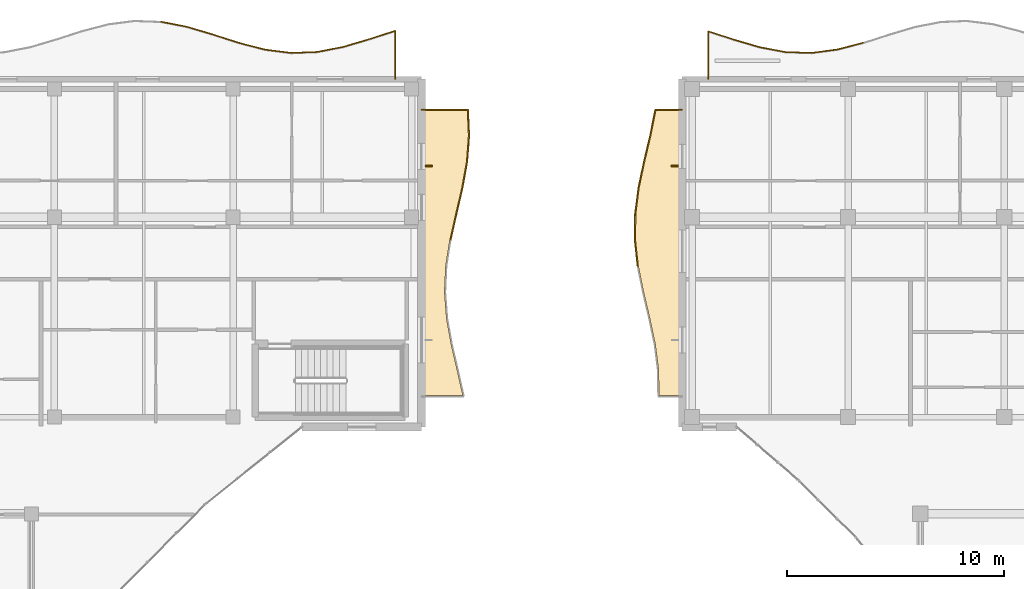
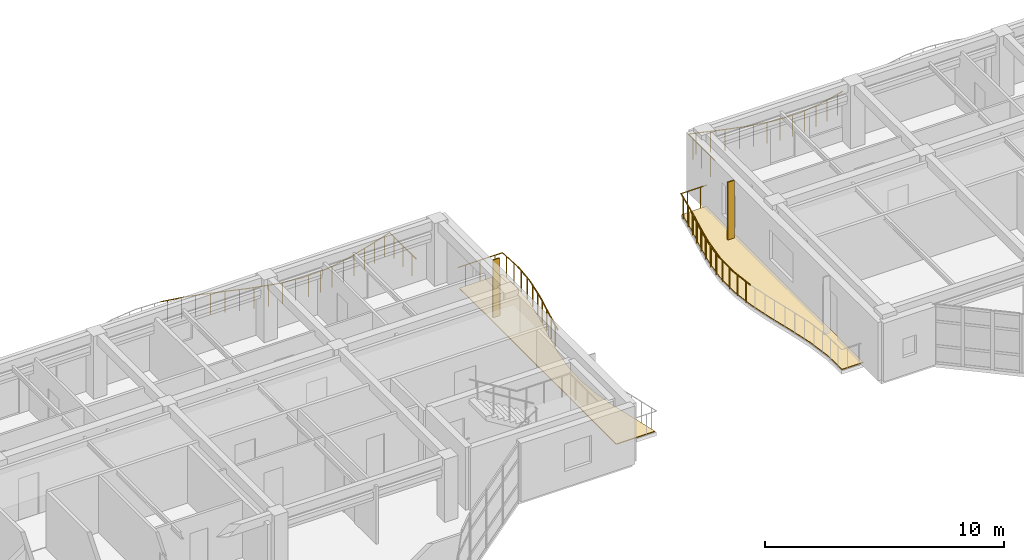
# One storey, part 81 of 89: 30 railings, 2 coverings, 2 shading devices.
"""IFC4 building model written with IfcOpenShell, lengths in metres."""

from ifc_helpers import new_model, si_unit, direction, frame, origin, origin_2d, place, context, subcontext, project, spatial, polyline, rectangle, circle, outline, extrude, material, layer, layer_set, type_object, element, save


model = new_model("IFC4")

# Units and contexts
model_context = context("Model", 3, precision=1e-05, world=origin(), true_north=direction((0.0, 1.0)))
body_context = subcontext(model_context, "Body", "Model", "MODEL_VIEW")
ifc_project = project(units=[si_unit("LENGTHUNIT", "METRE"), si_unit("AREAUNIT", "SQUARE_METRE"), si_unit("VOLUMEUNIT", "CUBIC_METRE"), si_unit("PLANEANGLEUNIT", "RADIAN"), si_unit("MASSUNIT", "GRAM", prefix="KILO")], contexts=[model_context])

# Site, building, storey
site_placement = place(None, origin())
site = spatial("IfcSite", under=ifc_project, at=site_placement, CompositionType="ELEMENT")
building_placement = place(site_placement, origin())
building = spatial("IfcBuilding", under=site, at=building_placement, Name="Keldmere Railside Commons", CompositionType="ELEMENT")
storey_placement = place(building_placement, frame((0.0, 0.0, 7.360107421875)))
storey = spatial("IfcBuildingStorey", under=building, at=storey_placement, Name="L02", CompositionType="ELEMENT", Elevation=7.360107421875)

# Railings
ifc_material_1 = material(Name="Steel F-24 (S235)", Category="steel")
railing_type = type_object("IfcRailingType", Name="Balcony & Terrace Steel Balustrade 1100", PredefinedType="BALUSTRADE", material=ifc_material_1)
railing_1_placement = place(storey_placement, frame((69.5, 118.646728515625, 0.0)))
element("IfcRailing", 1, at=railing_1_placement, inside=storey, type_object=railing_type, Name="GR-1 GRD-L02-0944", PredefinedType="BALUSTRADE", context=body_context, shape_type="SweptSolid", body=[
    extrude(circle(Radius=0.02392578125, at=origin_2d()), frame((0.0, 0.0, 1.076171875), z_axis=(0.98179066817, -0.189966007208, 0.0), x_axis=(0.189966007208, 0.98179066817, 0.0)), (0.0, 0.0, 1.0), 1.22216796875),
    extrude(circle(Radius=0.02099609375, at=origin_2d()), frame((0.300048828125, -0.05810546875, 0.0)), (0.0, 0.0, 1.0), 1.048095703125),
    extrude(circle(Radius=0.02099609375, at=origin_2d()), frame((0.89990234375, -0.174072265625, 0.0)), (0.0, 0.0, 1.0), 1.048095703125),
])
railing_2_placement = place(storey_placement, frame((70.699951171875, 118.41455078125, 0.0)))
element("IfcRailing", 2, at=railing_2_placement, inside=storey, type_object=railing_type, Name="GR-1 GRD-L02-0945", PredefinedType="BALUSTRADE", context=body_context, shape_type="SweptSolid", body=[
    extrude(circle(Radius=0.02392578125, at=origin_2d()), frame((0.0, 0.0, 1.076171875), z_axis=(0.958547873751, -0.284931524629, 0.0), x_axis=(0.284931524629, 0.958547873751, 0.0)), (0.0, 0.0, 1.0), 1.251953125),
    extrude(circle(Radius=0.02099609375, at=origin_2d()), frame((0.300048828125, -0.089111328125, 0.0)), (0.0, 0.0, 1.0), 1.048095703125),
    extrude(circle(Radius=0.02099609375, at=origin_2d()), frame((0.89990234375, -0.267578125, 0.0)), (0.0, 0.0, 1.0), 1.048095703125),
])
railing_3_placement = place(storey_placement, frame((71.89990234375, 118.057861328125, 0.0)))
element("IfcRailing", 3, at=railing_3_placement, inside=storey, type_object=railing_type, Name="GR-1 GRD-L02-0946", PredefinedType="BALUSTRADE", context=body_context, shape_type="SweptSolid", body=[
    extrude(circle(Radius=0.02392578125, at=origin_2d()), frame((0.0, 0.0, 1.076171875), z_axis=(0.952093022949, -0.305808560463, 0.0), x_axis=(0.305808560463, 0.952093022949, 0.0)), (0.0, 0.0, 1.0), 1.260498046875),
    extrude(circle(Radius=0.02099609375, at=origin_2d()), frame((0.300048828125, -0.096435546875, 0.0)), (0.0, 0.0, 1.0), 1.048095703125),
    extrude(circle(Radius=0.02099609375, at=origin_2d()), frame((0.900146484375, -0.2890625, 0.0)), (0.0, 0.0, 1.0), 1.048095703125),
])
railing_4_placement = place(storey_placement, frame((73.10009765625, 117.67236328125, 0.0)))
element("IfcRailing", 4, at=railing_4_placement, inside=storey, type_object=railing_type, Name="GR-1 GRD-L02-0947", PredefinedType="BALUSTRADE", context=body_context, shape_type="SweptSolid", body=[
    extrude(circle(Radius=0.02392578125, at=origin_2d()), frame((0.0, 0.0, 1.076171875), z_axis=(0.96796144939, -0.251098850045, 0.0), x_axis=(0.251098850045, 0.96796144939, 0.0)), (0.0, 0.0, 1.0), 1.23974609375),
    extrude(circle(Radius=0.02099609375, at=origin_2d()), frame((0.300048828125, -0.077880859375, 0.0)), (0.0, 0.0, 1.0), 1.048095703125),
    extrude(circle(Radius=0.02099609375, at=origin_2d()), frame((0.89990234375, -0.2333984375, 0.0)), (0.0, 0.0, 1.0), 1.048095703125),
])
railing_5_placement = place(storey_placement, frame((74.300048828125, 117.361083984375, 0.0)))
element("IfcRailing", 5, at=railing_5_placement, inside=storey, type_object=railing_type, Name="GR-1 GRD-L02-0948", PredefinedType="BALUSTRADE", context=body_context, shape_type="SweptSolid", body=[
    extrude(circle(Radius=0.02392578125, at=origin_2d()), frame((0.0, 0.0, 1.076171875), z_axis=(0.991935749638, -0.12674173973, 0.0), x_axis=(0.12674173973, 0.991935749638, 0.0)), (0.0, 0.0, 1.0), 1.209716796875),
    extrude(circle(Radius=0.02099609375, at=origin_2d()), frame((0.300048828125, -0.038330078125, 0.0)), (0.0, 0.0, 1.0), 1.048095703125),
    extrude(circle(Radius=0.02099609375, at=origin_2d()), frame((0.89990234375, -0.114990234375, 0.0)), (0.0, 0.0, 1.0), 1.048095703125),
])
railing_6_placement = place(storey_placement, frame((75.5, 117.207763671875, 0.0)))
element("IfcRailing", 6, at=railing_6_placement, inside=storey, type_object=railing_type, Name="GR-1 GRD-L02-0949", PredefinedType="BALUSTRADE", context=body_context, shape_type="SweptSolid", body=[
    extrude(circle(Radius=0.02392578125, at=origin_2d()), frame((0.0, 0.0, 1.076171875), z_axis=(0.999277005513, 0.038019287901, 0.0), x_axis=(-0.038019287901, 0.999277005513, 0.0)), (0.0, 0.0, 1.0), 1.200927734375),
    extrude(circle(Radius=0.02099609375, at=origin_2d()), frame((0.300048828125, 0.011474609375, 0.0)), (0.0, 0.0, 1.0), 1.048095703125),
    extrude(circle(Radius=0.02099609375, at=origin_2d()), frame((0.89990234375, 0.0341796875, 0.0)), (0.0, 0.0, 1.0), 1.048095703125),
])
railing_7_placement = place(storey_placement, frame((76.699951171875, 117.25341796875, 0.0)))
element("IfcRailing", 7, at=railing_7_placement, inside=storey, type_object=railing_type, Name="GR-1 GRD-L02-0950", PredefinedType="BALUSTRADE", context=body_context, shape_type="SweptSolid", body=[
    extrude(circle(Radius=0.02392578125, at=origin_2d()), frame((0.0, 0.0, 1.076171875), z_axis=(0.981827906182, 0.189773450839, 0.0), x_axis=(-0.189773450839, 0.981827906182, 0.0)), (0.0, 0.0, 1.0), 1.22216796875),
    extrude(circle(Radius=0.02099609375, at=origin_2d()), frame((0.300048828125, 0.05810546875, 0.0)), (0.0, 0.0, 1.0), 1.048095703125),
    extrude(circle(Radius=0.02099609375, at=origin_2d()), frame((0.89990234375, 0.173828125, 0.0)), (0.0, 0.0, 1.0), 1.048095703125),
])
railing_8_placement = place(storey_placement, frame((77.89990234375, 117.4853515625, 0.0)))
element("IfcRailing", 8, at=railing_8_placement, inside=storey, type_object=railing_type, Name="GR-1 GRD-L02-0951", PredefinedType="BALUSTRADE", context=body_context, shape_type="SweptSolid", body=[
    extrude(circle(Radius=0.02392578125, at=origin_2d()), frame((0.0, 0.0, 1.076171875), z_axis=(0.958563702607, 0.284878268818, 0.0), x_axis=(-0.284878268818, 0.958563702607, 0.0)), (0.0, 0.0, 1.0), 1.252197265625),
    extrude(circle(Radius=0.02099609375, at=origin_2d()), frame((0.300048828125, 0.089111328125, 0.0)), (0.0, 0.0, 1.0), 1.048095703125),
    extrude(circle(Radius=0.02099609375, at=origin_2d()), frame((0.900146484375, 0.267578125, 0.0)), (0.0, 0.0, 1.0), 1.048095703125),
])
railing_9_placement = place(storey_placement, frame((79.10009765625, 117.842041015625, 0.0)))
element("IfcRailing", 9, at=railing_9_placement, inside=storey, type_object=railing_type, Name="GR-1 GRD-L02-0952", PredefinedType="BALUSTRADE", context=body_context, shape_type="SweptSolid", body=[
    extrude(circle(Radius=0.02392578125, at=origin_2d()), frame((0.0, 0.0, 1.076171875), z_axis=(0.952074905922, 0.305864959603, 0.0), x_axis=(-0.305864959603, 0.952074905922, 0.0)), (0.0, 0.0, 1.0), 1.26025390625),
    extrude(circle(Radius=0.02099609375, at=origin_2d()), frame((0.300048828125, 0.096435546875, 0.0)), (0.0, 0.0, 1.0), 1.048095703125),
    extrude(circle(Radius=0.02099609375, at=origin_2d()), frame((0.89990234375, 0.2890625, 0.0)), (0.0, 0.0, 1.0), 1.048095703125),
])
railing_10_placement = place(storey_placement, frame((80.300048828125, 118.2275390625, 0.0)))
element("IfcRailing", 10, at=railing_10_placement, inside=storey, type_object=railing_type, Name="GR-1 GRD-L02-0953", PredefinedType="BALUSTRADE", context=body_context, shape_type="SweptSolid", body=[
    extrude(circle(Radius=0.02392578125, at=origin_2d()), frame((0.0, 0.0, 1.076171875), z_axis=(0.0, -1.0, 0.0), x_axis=(1.0, 0.0, 0.0)), (0.0, 0.0, 1.0), 2.2275390625),
    extrude(circle(Radius=0.02099609375, at=origin_2d()), frame((0.0, -0.371337890625, 0.0)), (0.0, 0.0, 1.0), 1.048095703125),
    extrude(circle(Radius=0.02099609375, at=origin_2d()), frame((0.0, -1.11376953125, 0.0)), (0.0, 0.0, 1.0), 1.048095703125),
    extrude(circle(Radius=0.02099609375, at=origin_2d()), frame((0.0, -1.856201171875, 0.0)), (0.0, 0.0, 1.0), 1.048095703125),
])
railing_11_placement = place(storey_placement, frame((82.84326171875, 108.60009765625, 0.0)))
element("IfcRailing", 11, at=railing_11_placement, inside=storey, type_object=railing_type, Name="GR-1 GRD-L02-1016", PredefinedType="BALUSTRADE", context=body_context, shape_type="SweptSolid", body=[
    extrude(circle(Radius=0.02392578125, at=origin_2d()), frame((0.0, 0.0, 1.076171875), z_axis=(0.218968914423, 0.97573183535, 0.0), x_axis=(-0.97573183535, 0.218968914423, 0.0)), (0.0, 0.0, 1.0), 1.229736328125),
    extrude(circle(Radius=0.02099609375, at=origin_2d()), frame((0.0673828125, 0.300048828125, 0.0)), (0.0, 0.0, 1.0), 1.048095703125),
    extrude(circle(Radius=0.02099609375, at=origin_2d()), frame((0.201904296875, 0.89990234375, 0.0)), (0.0, 0.0, 1.0), 1.048095703125),
])
railing_12_placement = place(storey_placement, frame((83.112548828125, 109.800048828125, 0.0)))
element("IfcRailing", 12, at=railing_12_placement, inside=storey, type_object=railing_type, Name="GR-1 GRD-L02-1017", PredefinedType="BALUSTRADE", context=body_context, shape_type="SweptSolid", body=[
    extrude(circle(Radius=0.02392578125, at=origin_2d()), frame((0.0, 0.0, 1.076171875), z_axis=(0.226885078419, 0.973921537492, 0.0), x_axis=(-0.973921537492, 0.226885078419, 0.0)), (0.0, 0.0, 1.0), 1.232177734375),
    extrude(circle(Radius=0.02099609375, at=origin_2d()), frame((0.06982421875, 0.300048828125, 0.0)), (0.0, 0.0, 1.0), 1.048095703125),
    extrude(circle(Radius=0.02099609375, at=origin_2d()), frame((0.209716796875, 0.89990234375, 0.0)), (0.0, 0.0, 1.0), 1.048095703125),
])
railing_13_placement = place(storey_placement, frame((83.39208984375, 111.0, 0.0)))
element("IfcRailing", 13, at=railing_13_placement, inside=storey, type_object=railing_type, Name="GR-1 GRD-L02-1018", PredefinedType="BALUSTRADE", context=body_context, shape_type="SweptSolid", body=[
    extrude(circle(Radius=0.02392578125, at=origin_2d()), frame((0.0, 0.0, 1.076171875), z_axis=(0.175853027034, 0.984416432656, 0.0), x_axis=(-0.984416432656, 0.175853027034, 0.0)), (0.0, 0.0, 1.0), 1.218994140625),
    extrude(circle(Radius=0.02099609375, at=origin_2d()), frame((0.0537109375, 0.300048828125, 0.0)), (0.0, 0.0, 1.0), 1.048095703125),
    extrude(circle(Radius=0.02099609375, at=origin_2d()), frame((0.16064453125, 0.89990234375, 0.0)), (0.0, 0.0, 1.0), 1.048095703125),
])
railing_14_placement = place(storey_placement, frame((83.6064453125, 112.199951171875, 0.0)))
element("IfcRailing", 14, at=railing_14_placement, inside=storey, type_object=railing_type, Name="GR-1 GRD-L02-1019", PredefinedType="BALUSTRADE", context=body_context, shape_type="SweptSolid", body=[
    extrude(circle(Radius=0.02392578125, at=origin_2d()), frame((0.0, 0.0, 1.076171875), z_axis=(0.076680986071, 0.997055678674, 0.0), x_axis=(-0.997055678674, 0.076680986071, 0.0)), (0.0, 0.0, 1.0), 1.20361328125),
    extrude(circle(Radius=0.02099609375, at=origin_2d()), frame((0.02294921875, 0.300048828125, 0.0)), (0.0, 0.0, 1.0), 1.048095703125),
    extrude(circle(Radius=0.02099609375, at=origin_2d()), frame((0.0693359375, 0.89990234375, 0.0)), (0.0, 0.0, 1.0), 1.048095703125),
])
railing_15_placement = place(storey_placement, frame((83.69873046875, 113.39990234375, 0.0)))
element("IfcRailing", 15, at=railing_15_placement, inside=storey, type_object=railing_type, Name="GR-1 GRD-L02-1020", PredefinedType="BALUSTRADE", context=body_context, shape_type="SweptSolid", body=[
    extrude(circle(Radius=0.02392578125, at=origin_2d()), frame((0.0, 0.0, 1.076171875), z_axis=(-0.04572105478, 0.998954245774, 0.0), x_axis=(-0.998954245774, -0.04572105478, 0.0)), (0.0, 0.0, 1.0), 1.201416015625),
    extrude(circle(Radius=0.02099609375, at=origin_2d()), frame((-0.013671875, 0.300048828125, 0.0)), (0.0, 0.0, 1.0), 1.048095703125),
    extrude(circle(Radius=0.02099609375, at=origin_2d()), frame((-0.041259765625, 0.900146484375, 0.0)), (0.0, 0.0, 1.0), 1.048095703125),
])
railing_16_placement = place(storey_placement, frame((83.643798828125, 114.60009765625, 0.0)))
element("IfcRailing", 16, at=railing_16_placement, inside=storey, type_object=railing_type, Name="GR-1 GRD-L02-1021", PredefinedType="BALUSTRADE", context=body_context, shape_type="SweptSolid", body=[
    extrude(circle(Radius=0.02392578125, at=origin_2d()), frame((0.0, 0.0, 1.076171875), z_axis=(-1.0, 0.0, 0.0), x_axis=(0.0, -1.0, 0.0)), (0.0, 0.0, 1.0), 2.143798828125),
    extrude(circle(Radius=0.02099609375, at=origin_2d()), frame((-0.357421875, 0.0, 0.0)), (0.0, 0.0, 1.0), 1.048095703125),
    extrude(circle(Radius=0.02099609375, at=origin_2d()), frame((-1.07177734375, 0.0, 0.0)), (0.0, 0.0, 1.0), 1.048095703125),
    extrude(circle(Radius=0.02099609375, at=origin_2d()), frame((-1.78662109375, 0.0, 0.0)), (0.0, 0.0, 1.0), 1.048095703125),
])
railing_17_placement = place(storey_placement, frame((94.699951171875, 116.0, 0.0)))
element("IfcRailing", 17, at=railing_17_placement, inside=storey, type_object=railing_type, Name="GR-1 GRD-L02-1975", PredefinedType="BALUSTRADE", context=body_context, shape_type="SweptSolid", body=[
    extrude(circle(Radius=0.02392578125, at=origin_2d()), frame((0.0, 0.0, 1.076171875), z_axis=(0.0, 1.0, 0.0), x_axis=(-1.0, 0.0, 0.0)), (0.0, 0.0, 1.0), 2.201171875),
    extrude(circle(Radius=0.02099609375, at=origin_2d()), frame((0.0, 0.366943359375, 0.0)), (0.0, 0.0, 1.0), 1.048095703125),
    extrude(circle(Radius=0.02099609375, at=origin_2d()), frame((0.0, 1.1005859375, 0.0)), (0.0, 0.0, 1.0), 1.048095703125),
    extrude(circle(Radius=0.02099609375, at=origin_2d()), frame((0.0, 1.834228515625, 0.0)), (0.0, 0.0, 1.0), 1.048095703125),
])
railing_18_placement = place(storey_placement, frame((94.699951171875, 118.201171875, 0.0)))
element("IfcRailing", 18, at=railing_18_placement, inside=storey, type_object=railing_type, Name="GR-1 GRD-L02-1976", PredefinedType="BALUSTRADE", context=body_context, shape_type="SweptSolid", body=[
    extrude(circle(Radius=0.02392578125, at=origin_2d()), frame((0.0, 0.0, 1.076171875), z_axis=(0.951745457356, -0.306888553717, 0.0), x_axis=(0.306888553717, 0.951745457356, 0.0)), (0.0, 0.0, 1.0), 1.2490234375),
    extrude(circle(Radius=0.02099609375, at=origin_2d()), frame((0.297119140625, -0.095703125, 0.0)), (0.0, 0.0, 1.0), 1.048095703125),
    extrude(circle(Radius=0.02099609375, at=origin_2d()), frame((0.8916015625, -0.28759765625, 0.0)), (0.0, 0.0, 1.0), 1.048095703125),
])
railing_19_placement = place(storey_placement, frame((95.888671875, 117.81787109375, 0.0)))
element("IfcRailing", 19, at=railing_19_placement, inside=storey, type_object=railing_type, Name="GR-1 GRD-L02-1977", PredefinedType="BALUSTRADE", context=body_context, shape_type="SweptSolid", body=[
    extrude(circle(Radius=0.02392578125, at=origin_2d()), frame((0.0, 0.0, 1.076171875), z_axis=(0.959619369608, -0.28130173386, 0.0), x_axis=(0.28130173386, 0.959619369608, 0.0)), (0.0, 0.0, 1.0), 1.238525390625),
    extrude(circle(Radius=0.02099609375, at=origin_2d()), frame((0.297119140625, -0.087158203125, 0.0)), (0.0, 0.0, 1.0), 1.048095703125),
    extrude(circle(Radius=0.02099609375, at=origin_2d()), frame((0.891357421875, -0.26123046875, 0.0)), (0.0, 0.0, 1.0), 1.048095703125),
])
railing_20_placement = place(storey_placement, frame((97.0771484375, 117.469482421875, 0.0)))
element("IfcRailing", 20, at=railing_20_placement, inside=storey, type_object=railing_type, Name="GR-1 GRD-L02-1978", PredefinedType="BALUSTRADE", context=body_context, shape_type="SweptSolid", body=[
    extrude(circle(Radius=0.02392578125, at=origin_2d()), frame((0.0, 0.0, 1.076171875), z_axis=(0.982972622231, -0.183752071945, 0.0), x_axis=(0.183752071945, 0.982972622231, 0.0)), (0.0, 0.0, 1.0), 1.208984375),
    extrude(circle(Radius=0.02099609375, at=origin_2d()), frame((0.297119140625, -0.0556640625, 0.0)), (0.0, 0.0, 1.0), 1.048095703125),
    extrude(circle(Radius=0.02099609375, at=origin_2d()), frame((0.891357421875, -0.16650390625, 0.0)), (0.0, 0.0, 1.0), 1.048095703125),
])
railing_21_placement = place(storey_placement, frame((98.265625, 117.247314453125, 0.0)))
element("IfcRailing", 21, at=railing_21_placement, inside=storey, type_object=railing_type, Name="GR-1 GRD-L02-1979", PredefinedType="BALUSTRADE", context=body_context, shape_type="SweptSolid", body=[
    extrude(circle(Radius=0.02392578125, at=origin_2d()), frame((0.0, 0.0, 1.076171875), z_axis=(0.999500188547, -0.031612862813, 0.0), x_axis=(0.031612862813, 0.999500188547, 0.0)), (0.0, 0.0, 1.0), 1.189208984375),
    extrude(circle(Radius=0.02099609375, at=origin_2d()), frame((0.297119140625, -0.00927734375, 0.0)), (0.0, 0.0, 1.0), 1.048095703125),
    extrude(circle(Radius=0.02099609375, at=origin_2d()), frame((0.8916015625, -0.0283203125, 0.0)), (0.0, 0.0, 1.0), 1.048095703125),
])
railing_22_placement = place(storey_placement, frame((99.454345703125, 117.209716796875, 0.0)))
element("IfcRailing", 22, at=railing_22_placement, inside=storey, type_object=railing_type, Name="GR-1 GRD-L02-1980", PredefinedType="BALUSTRADE", context=body_context, shape_type="SweptSolid", body=[
    extrude(circle(Radius=0.02392578125, at=origin_2d()), frame((0.0, 0.0, 1.076171875), z_axis=(0.991336057954, 0.131349991245, 0.0), x_axis=(-0.131349991245, 0.991336057954, 0.0)), (0.0, 0.0, 1.0), 1.198974609375),
    extrude(circle(Radius=0.02099609375, at=origin_2d()), frame((0.297119140625, 0.039306640625, 0.0)), (0.0, 0.0, 1.0), 1.048095703125),
    extrude(circle(Radius=0.02099609375, at=origin_2d()), frame((0.891357421875, 0.1181640625, 0.0)), (0.0, 0.0, 1.0), 1.048095703125),
])
railing_23_placement = place(storey_placement, frame((100.642822265625, 117.3671875, 0.0)))
element("IfcRailing", 23, at=railing_23_placement, inside=storey, type_object=railing_type, Name="GR-1 GRD-L02-1981", PredefinedType="BALUSTRADE", context=body_context, shape_type="SweptSolid", body=[
    extrude(circle(Radius=0.02392578125, at=origin_2d()), frame((0.0, 0.0, 1.076171875), z_axis=(0.967515884636, 0.252810231154, 0.0), x_axis=(-0.252810231154, 0.967515884636, 0.0)), (0.0, 0.0, 1.0), 1.228271484375),
    extrude(circle(Radius=0.02099609375, at=origin_2d()), frame((0.297119140625, 0.07763671875, 0.0)), (0.0, 0.0, 1.0), 1.048095703125),
    extrude(circle(Radius=0.02099609375, at=origin_2d()), frame((0.891357421875, 0.23291015625, 0.0)), (0.0, 0.0, 1.0), 1.048095703125),
])
railing_24_placement = place(storey_placement, frame((91.4423828125, 107.39990234375, 0.0)))
element("IfcRailing", 24, at=railing_24_placement, inside=storey, type_object=railing_type, Name="GR-1 GRD-L02-2086", PredefinedType="BALUSTRADE", context=body_context, shape_type="SweptSolid", body=[
    extrude(circle(Radius=0.02392578125, at=origin_2d()), frame((0.0, 0.0, 1.076171875), z_axis=(-0.107589896583, 0.994195360155, 0.0), x_axis=(-0.994195360155, -0.107589896583, 0.0)), (0.0, 0.0, 1.0), 1.207275390625),
    extrude(circle(Radius=0.02099609375, at=origin_2d()), frame((-0.032470703125, 0.300048828125, 0.0)), (0.0, 0.0, 1.0), 1.048095703125),
    extrude(circle(Radius=0.02099609375, at=origin_2d()), frame((-0.097412109375, 0.900146484375, 0.0)), (0.0, 0.0, 1.0), 1.048095703125),
])
railing_25_placement = place(storey_placement, frame((91.3125, 108.60009765625, 0.0)))
element("IfcRailing", 25, at=railing_25_placement, inside=storey, type_object=railing_type, Name="GR-1 GRD-L02-2087", PredefinedType="BALUSTRADE", context=body_context, shape_type="SweptSolid", body=[
    extrude(circle(Radius=0.02392578125, at=origin_2d()), frame((0.0, 0.0, 1.076171875), z_axis=(0.011596371782, 0.99993275982, 0.0), x_axis=(-0.99993275982, 0.011596371782, 0.0)), (0.0, 0.0, 1.0), 1.199951171875),
    extrude(circle(Radius=0.02099609375, at=origin_2d()), frame((0.00341796875, 0.300048828125, 0.0)), (0.0, 0.0, 1.0), 1.048095703125),
    extrude(circle(Radius=0.02099609375, at=origin_2d()), frame((0.010498046875, 0.89990234375, 0.0)), (0.0, 0.0, 1.0), 1.048095703125),
])
railing_26_placement = place(storey_placement, frame((91.326416015625, 109.800048828125, 0.0)))
element("IfcRailing", 26, at=railing_26_placement, inside=storey, type_object=railing_type, Name="GR-1 GRD-L02-2088", PredefinedType="BALUSTRADE", context=body_context, shape_type="SweptSolid", body=[
    extrude(circle(Radius=0.02392578125, at=origin_2d()), frame((0.0, 0.0, 1.076171875), z_axis=(0.127535922224, 0.991833952102, 0.0), x_axis=(-0.991833952102, 0.127535922224, 0.0)), (0.0, 0.0, 1.0), 1.209716796875),
    extrude(circle(Radius=0.02099609375, at=origin_2d()), frame((0.03857421875, 0.300048828125, 0.0)), (0.0, 0.0, 1.0), 1.048095703125),
    extrude(circle(Radius=0.02099609375, at=origin_2d()), frame((0.11572265625, 0.89990234375, 0.0)), (0.0, 0.0, 1.0), 1.048095703125),
])
railing_27_placement = place(storey_placement, frame((91.480712890625, 111.0, 0.0)))
element("IfcRailing", 27, at=railing_27_placement, inside=storey, type_object=railing_type, Name="GR-1 GRD-L02-2089", PredefinedType="BALUSTRADE", context=body_context, shape_type="SweptSolid", body=[
    extrude(circle(Radius=0.02392578125, at=origin_2d()), frame((0.0, 0.0, 1.076171875), z_axis=(0.206632460554, 0.978418635475, 0.0), x_axis=(-0.978418635475, 0.206632460554, 0.0)), (0.0, 0.0, 1.0), 1.226318359375),
    extrude(circle(Radius=0.02099609375, at=origin_2d()), frame((0.0634765625, 0.300048828125, 0.0)), (0.0, 0.0, 1.0), 1.048095703125),
    extrude(circle(Radius=0.02099609375, at=origin_2d()), frame((0.18994140625, 0.89990234375, 0.0)), (0.0, 0.0, 1.0), 1.048095703125),
])
railing_28_placement = place(storey_placement, frame((91.734130859375, 112.199951171875, 0.0)))
element("IfcRailing", 28, at=railing_28_placement, inside=storey, type_object=railing_type, Name="GR-1 GRD-L02-2090", PredefinedType="BALUSTRADE", context=body_context, shape_type="SweptSolid", body=[
    extrude(circle(Radius=0.02392578125, at=origin_2d()), frame((0.0, 0.0, 1.076171875), z_axis=(0.230451583852, 0.973083792641, 0.0), x_axis=(-0.973083792641, 0.230451583852, 0.0)), (0.0, 0.0, 1.0), 1.233154296875),
    extrude(circle(Radius=0.02099609375, at=origin_2d()), frame((0.071044921875, 0.300048828125, 0.0)), (0.0, 0.0, 1.0), 1.048095703125),
    extrude(circle(Radius=0.02099609375, at=origin_2d()), frame((0.213134765625, 0.89990234375, 0.0)), (0.0, 0.0, 1.0), 1.048095703125),
])
railing_29_placement = place(storey_placement, frame((92.018310546875, 113.39990234375, 0.0)))
element("IfcRailing", 29, at=railing_29_placement, inside=storey, type_object=railing_type, Name="GR-1 GRD-L02-2091", PredefinedType="BALUSTRADE", context=body_context, shape_type="SweptSolid", body=[
    extrude(circle(Radius=0.02392578125, at=origin_2d()), frame((0.0, 0.0, 1.076171875), z_axis=(0.195502274815, 0.980703247951, 0.0), x_axis=(-0.980703247951, 0.195502274815, 0.0)), (0.0, 0.0, 1.0), 1.223876953125),
    extrude(circle(Radius=0.02099609375, at=origin_2d()), frame((0.059814453125, 0.300048828125, 0.0)), (0.0, 0.0, 1.0), 1.048095703125),
    extrude(circle(Radius=0.02099609375, at=origin_2d()), frame((0.179443359375, 0.900146484375, 0.0)), (0.0, 0.0, 1.0), 1.048095703125),
])
railing_30_placement = place(storey_placement, frame((92.257568359375, 114.60009765625, 0.0)))
element("IfcRailing", 30, at=railing_30_placement, inside=storey, type_object=railing_type, Name="GR-1 GRD-L02-2092", PredefinedType="BALUSTRADE", context=body_context, shape_type="SweptSolid", body=[
    extrude(circle(Radius=0.02392578125, at=origin_2d()), frame((0.0, 0.0, 1.076171875), z_axis=(1.0, 0.0, 0.0), x_axis=(0.0, 1.0, 0.0)), (0.0, 0.0, 1.0), 1.242431640625),
    extrude(circle(Radius=0.02099609375, at=origin_2d()), frame((0.310546875, 0.0, 0.0)), (0.0, 0.0, 1.0), 1.048095703125),
    extrude(circle(Radius=0.02099609375, at=origin_2d()), frame((0.931884765625, 0.0, 0.0)), (0.0, 0.0, 1.0), 1.048095703125),
])

# Shading devices
ifc_layer_1 = layer(ifc_material_1, 0.06005859375, Name="East-West Vertical Brise-Soleil Fin 320x60")
ifc_layer_set_1 = layer_set([ifc_layer_1], Name="Steel F-24 (S235)")
shading_device_type = type_object("IfcShadingDeviceType", Name="East-West Vertical Brise-Soleil Fin 320x60", PredefinedType="USERDEFINED", material=ifc_layer_set_1)
for number, where, z_axis, x_axis, name in (
    (31, (81.837890625, 112.0, 0.0), (0.0, 0.0, 1.0), (1.0, 0.0, 0.0), "FIN-1 Solar Fin 007"),
    (32, (93.162109375, 112.0, 0.0), (0.0, 0.0, 1.0), (1.0, 0.0, 0.0), "FIN-1 Solar Fin 022"),
):
    element("IfcShadingDevice", number, at=place(storey_placement, frame(where, z_axis=z_axis, x_axis=x_axis)), inside=storey, type_object=shading_device_type, Name=name, ObjectType="FIN", PredefinedType="USERDEFINED", context=body_context, shape_type="SweptSolid", body=[
        extrude(rectangle(XDim=0.320068359375, YDim=0.06005859375, at=origin_2d()), origin(), (0.0, 0.0, 1.0), 2.97998046875),
    ])

# Coverings
ifc_material_2 = material(Name="White Precast Concrete C35/45", Category="concrete")
ifc_layer_2 = layer(ifc_material_2, 0.044921875, Name="White Architectural Balcony Ribbon Cladding 45")
ifc_layer_set_2 = layer_set([ifc_layer_2], Name="White Precast Concrete C35/45")
covering_type = type_object("IfcCoveringType", Name="White Architectural Balcony Ribbon Cladding 45", PredefinedType="FLOORING", material=ifc_layer_set_2)
covering_1_placement = place(storey_placement, origin())
element("IfcCovering", 33, at=covering_1_placement, inside=storey, type_object=covering_type, Name="CLG-WB C L02 WE White Balcony Ribbon", PredefinedType="FLOORING", context=body_context, shape_type="SweptSolid", body=[
    extrude(outline(polyline([(83.1484375, 102.591064453125), (82.868896484375, 103.791015625), (82.86865234375, 103.79296875), (82.654052734375, 104.992919921875), (82.653564453125, 104.996826171875), (82.561279296875, 106.197021484375), (82.561279296875, 106.201904296875), (82.6162109375, 107.40185546875), (82.61669921875, 107.40625), (82.8037109375, 108.606201171875), (82.80419921875, 108.60888671875), (83.073486328125, 109.808837890625), (83.073486328125, 109.80908203125), (83.352783203125, 111.008056640625), (83.56689453125, 112.205078125), (83.65869140625, 113.400634765625), (83.605712890625, 114.56005859375), (81.5400390625, 114.56005859375), (81.5400390625, 101.43994140625), (83.40673828125, 101.43994140625), (83.1484375, 102.591064453125)])), origin(), (0.0, 0.0, 1.0), 0.044921875),
])
covering_2_placement = place(storey_placement, origin())
element("IfcCovering", 34, at=covering_2_placement, inside=storey, type_object=covering_type, Name="CLG-WB B L02 WW White Balcony Ribbon", PredefinedType="FLOORING", context=body_context, shape_type="SweptSolid", body=[
    extrude(outline(polyline([(93.4599609375, 114.56005859375), (92.290283203125, 114.56005859375), (92.0576171875, 113.39208984375), (92.057373046875, 113.390869140625), (91.773193359375, 112.19140625), (91.520263671875, 110.993408203125), (91.366455078125, 109.797119140625), (91.352294921875, 108.601806640625), (91.48193359375, 107.406005859375), (91.720703125, 106.20849609375), (92.0048828125, 105.00927734375), (92.0048828125, 105.00830078125), (92.25830078125, 103.808349609375), (92.2587890625, 103.80517578125), (92.413330078125, 102.60498046875), (92.41357421875, 102.6005859375), (92.427001953125, 101.43994140625), (93.4599609375, 101.43994140625), (93.4599609375, 114.56005859375)])), origin(), (0.0, 0.0, 1.0), 0.044921875),
])

save(model, "model.ifc")
